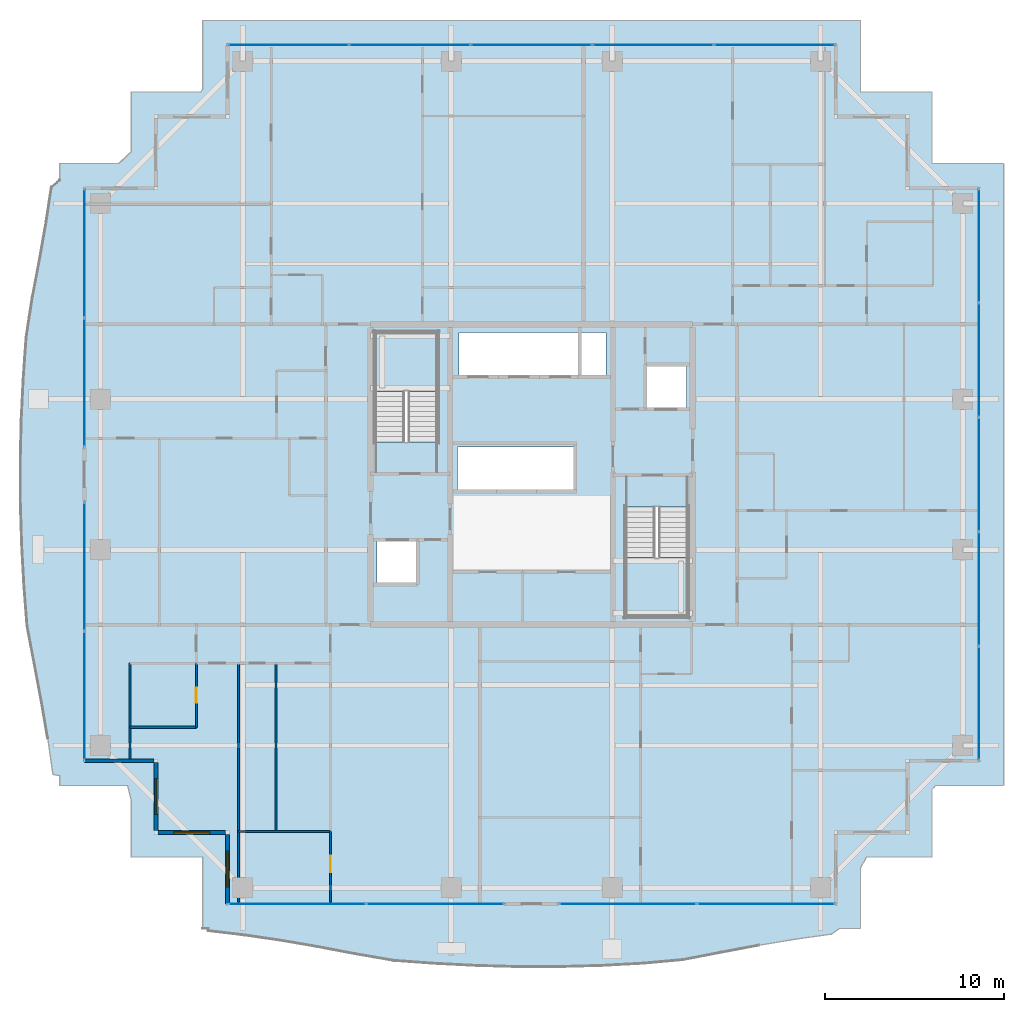
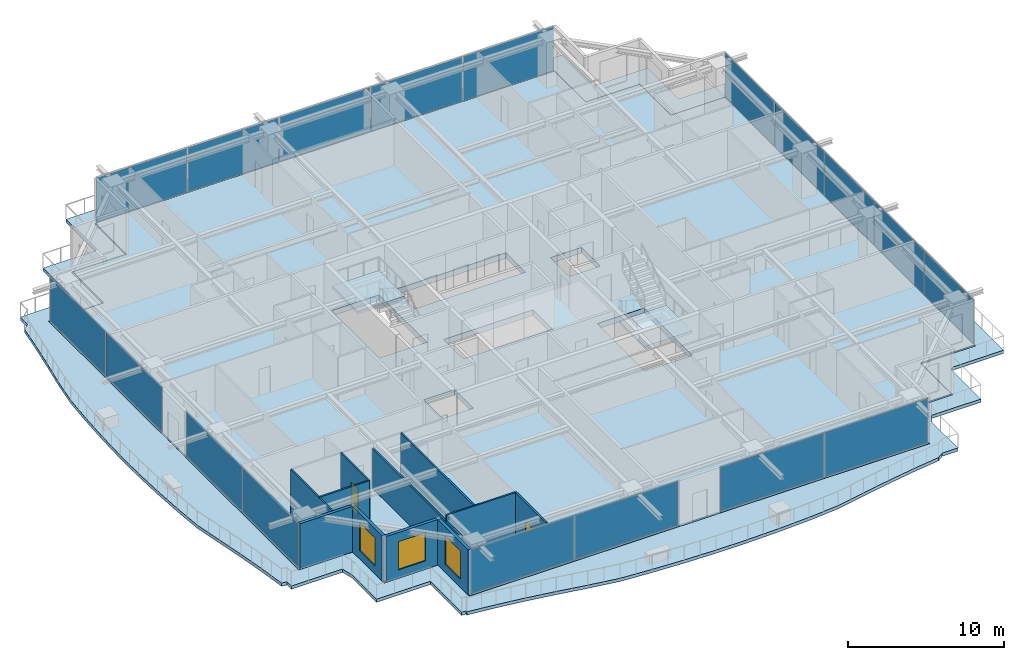
# One storey, part 23 of 35: 18 plates, 11 walls, 4 slabs, 3 windows, 2 doors, 5 openings, 8 elements without a shape of their own.
"""IFC4 building model written with IfcOpenShell, lengths in metres."""

from ifc_helpers import new_model, si_unit, direction, frame, frame_2d, origin, origin_2d, place, context, subcontext, project, spatial, polyline, rectangle, outline, extrude, source, transform, mapped, material, layer, layer_set, type_object, element, fill, aggregate, save


model = new_model("IFC4")

# Units and contexts
model_context = context("Model", 3, precision=1e-05, world=origin(), true_north=direction((0.0, 1.0)))
body_context = subcontext(model_context, "Body", "Model", "MODEL_VIEW")
ifc_project = project(units=[si_unit("LENGTHUNIT", "METRE"), si_unit("AREAUNIT", "SQUARE_METRE"), si_unit("VOLUMEUNIT", "CUBIC_METRE"), si_unit("PLANEANGLEUNIT", "RADIAN"), si_unit("MASSUNIT", "GRAM", prefix="KILO")], contexts=[model_context])

# Site, building, storey
site_placement = place(None, origin())
site = spatial("IfcSite", under=ifc_project, at=site_placement, CompositionType="ELEMENT")
building_placement = place(site_placement, origin())
building = spatial("IfcBuilding", under=site, at=building_placement, Name="Serunith Strait Residences", CompositionType="ELEMENT")
storey_placement = place(building_placement, frame((0.0, 0.0, 210.449951171875)))
storey = spatial("IfcBuildingStorey", under=building, at=storey_placement, Name="L52", CompositionType="ELEMENT", Elevation=210.449951171875)

# Slab
ifc_material_1 = material(Name="Concrete C50/60", Category="concrete")
ifc_layer_1 = layer(ifc_material_1, 0.239990234375, Name="Concrete C50/60")
ifc_layer_set_1 = layer_set([ifc_layer_1], Name="Concrete C50/60")
slab_type_1 = type_object("IfcSlabType", Name="SLB-BALC-240", PredefinedType="FLOOR", material=ifc_layer_set_1)
slab_1_placement = place(storey_placement, frame((0.0, 0.0, -0.2900390625)))
element("IfcSlab", 1, at=slab_1_placement, inside=storey, type_object=slab_type_1, Name="L52 Planted Vertical-Forest Balcony Slab", PredefinedType="FLOOR", context=body_context, shape_type="SweptSolid", body=[
    extrude(outline(polyline([(14.02001953125, -0.179931640625), (14.02001953125, 3.820068359375), (10.02001953125, 3.820068359375), (10.02001953125, 6.98828125), (9.8154296875, 7.820068359375), (6.02001953125, 7.820068359375), (6.02001953125, 8.3701171875), (5.64404296875, 8.432861328125), (5.3525390625, 10.458984375), (5.005615234375, 12.507080078125), (4.614013671875, 14.594970703125), (4.2041015625, 16.7412109375), (4.030029296875, 19.005859375), (3.904541015625, 21.3056640625), (3.83447265625, 23.62890625), (3.826904296875, 25.9619140625), (3.88232421875, 28.289306640625), (3.9951171875, 30.596923828125), (4.154296875, 32.873291015625), (4.49072265625, 35.061279296875), (4.89111328125, 37.16650390625), (5.253173828125, 39.225830078125), (5.561767578125, 41.25830078125), (6.02001953125, 41.644287109375), (6.02001953125, 42.580078125), (9.319580078125, 42.580078125), (10.02001953125, 43.233154296875), (10.02001953125, 46.580078125), (13.9189453125, 46.580078125), (14.02001953125, 46.734619140625), (14.02001953125, 50.580078125), (50.780029296875, 50.580078125), (50.780029296875, 46.580078125), (54.780029296875, 46.580078125), (54.780029296875, 42.580078125), (58.780029296875, 42.580078125), (58.780029296875, 7.820068359375), (54.97509765625, 7.820068359375), (54.780029296875, 7.597900390625), (54.780029296875, 3.820068359375), (51.12060546875, 3.820068359375), (50.780029296875, 3.201416015625), (50.780029296875, -0.179931640625), (49.6103515625, -0.179931640625), (49.1689453125, -0.488525390625), (47.14501953125, -0.77294921875), (45.101318359375, -1.1162109375), (43.018310546875, -1.508056640625), (40.8759765625, -1.9228515625), (38.615234375, -2.12841796875), (36.307861328125, -2.25), (33.976318359375, -2.314208984375), (31.6357421875, -2.314697265625), (29.302001953125, -2.252197265625), (26.990234375, -2.133544921875), (24.711181640625, -1.97021484375), (22.537109375, -1.596923828125), (20.438232421875, -1.1982421875), (18.38330078125, -0.84375), (16.353271484375, -0.54638671875), (14.33251953125, -0.306884765625), (14.33349609375, -0.179931640625), (14.02001953125, -0.179931640625)]), holes=[polyline([(49.455078125, 1.14501953125), (49.455078125, 5.14501953125), (53.455078125, 5.14501953125), (53.455078125, 9.14501953125), (57.455078125, 9.14501953125), (57.455078125, 41.2548828125), (53.455078125, 41.2548828125), (53.455078125, 45.2548828125), (49.455078125, 45.2548828125), (49.455078125, 49.2548828125), (15.344970703125, 49.2548828125), (15.344970703125, 45.2548828125), (11.344970703125, 45.2548828125), (11.344970703125, 41.2548828125), (7.344970703125, 41.2548828125), (7.344970703125, 9.14501953125), (11.344970703125, 9.14501953125), (11.344970703125, 5.14501953125), (15.344970703125, 5.14501953125), (15.344970703125, 1.14501953125), (49.455078125, 1.14501953125)])]), origin(), (0.0, 0.0, 1.0), 0.239990234375),
])

# Stair, slab
stair_type_1 = type_object("IfcStairType", Name="STR-CORE-1", PredefinedType="HALF_TURN_STAIR", material=ifc_material_1)
stair_1_placement = place(storey_placement, origin())
stair_1 = element("IfcStair", 2, at=stair_1_placement, inside=storey, type_object=stair_type_1, Name="L52 Protected Escape Stair ST-1", PredefinedType="HALF_TURN_STAIR")
ifc_layer_2 = layer(ifc_material_1, 0.199951171875, Name="Concrete C50/60")
ifc_layer_set_2 = layer_set([ifc_layer_2], Name="Concrete C50/60")
slab_type_2 = type_object("IfcSlabType", Name="SLB-LAND-200", PredefinedType="LANDING", material=ifc_layer_set_2)
slab_2_placement = place(storey_placement, frame((0.0, 0.0, 1.72509765625)))
slab_2 = element("IfcSlab", 3, at=slab_2_placement, type_object=slab_type_2, Name="ST-1 landing 1", PredefinedType="LANDING", context=body_context, shape_type="SweptSolid", body=[
    extrude(outline(polyline([(27.14990234375, 29.830078125), (27.14990234375, 33.14990234375), (23.64990234375, 33.14990234375), (23.64990234375, 29.830078125), (27.14990234375, 29.830078125)])), origin(), (0.0, 0.0, 1.0), 0.199951171875),
])
aggregate(stair_1, [slab_2])

stair_type_2 = type_object("IfcStairType", Name="STR-CORE-2", PredefinedType="HALF_TURN_STAIR", material=ifc_material_1)
stair_2_placement = place(storey_placement, origin())
stair_2 = element("IfcStair", 4, at=stair_2_placement, inside=storey, type_object=stair_type_2, Name="L52 Protected Escape Stair ST-2", PredefinedType="HALF_TURN_STAIR")
slab_3_placement = place(storey_placement, frame((0.0, 0.0, 1.72509765625)))
slab_3 = element("IfcSlab", 5, at=slab_3_placement, type_object=slab_type_2, Name="ST-2 landing 1", PredefinedType="LANDING", context=body_context, shape_type="SweptSolid", body=[
    extrude(outline(polyline([(37.64990234375, 20.570068359375), (37.64990234375, 17.25), (41.14990234375, 17.25), (41.14990234375, 20.570068359375), (37.64990234375, 20.570068359375)])), origin(), (0.0, 0.0, 1.0), 0.199951171875),
])
aggregate(stair_2, [slab_3])

# Slab
ifc_material_2 = material(Name="Concrete C70/85", Category="concrete")
ifc_layer_3 = layer(ifc_material_2, 0.43994140625, Name="Concrete C70/85")
ifc_layer_set_3 = layer_set([ifc_layer_3], Name="Concrete C70/85")
slab_type_3 = type_object("IfcSlabType", Name="SLB-SETB-440", PredefinedType="FLOOR", material=ifc_layer_set_3)
slab_4_placement = place(storey_placement, frame((0.0, 0.0, -0.43994140625)))
element("IfcSlab", 6, at=slab_4_placement, inside=storey, type_object=slab_type_3, Name="L52 Structural Floor Plate", PredefinedType="FLOOR", context=body_context, shape_type="SweptSolid", body=[
    extrude(outline(polyline([(15.39990234375, 5.199951171875), (11.39990234375, 5.199951171875), (11.39990234375, 9.199951171875), (7.39990234375, 9.199951171875), (7.39990234375, 41.199951171875), (11.39990234375, 41.199951171875), (11.39990234375, 45.199951171875), (15.39990234375, 45.199951171875), (15.39990234375, 49.199951171875), (49.39990234375, 49.199951171875), (49.39990234375, 45.199951171875), (53.39990234375, 45.199951171875), (53.39990234375, 41.199951171875), (57.39990234375, 41.199951171875), (57.39990234375, 9.199951171875), (53.39990234375, 9.199951171875), (53.39990234375, 5.199951171875), (49.39990234375, 5.199951171875), (49.39990234375, 1.199951171875), (15.39990234375, 1.199951171875), (15.39990234375, 5.199951171875)]), holes=[polyline([(41.14990234375, 23.3701171875), (37.64990234375, 23.3701171875), (37.64990234375, 17.25), (41.14990234375, 17.25), (41.14990234375, 23.3701171875)]), polyline([(38.75, 31.25), (38.75, 28.85009765625), (41.050048828125, 28.85009765625), (41.050048828125, 31.25), (38.75, 31.25)]), polyline([(36.550048828125, 33.14990234375), (28.35009765625, 33.14990234375), (28.35009765625, 30.64990234375), (36.550048828125, 30.64990234375), (36.550048828125, 33.14990234375)]), polyline([(34.85009765625, 26.75), (28.25, 26.75), (28.25, 24.25), (34.85009765625, 24.25), (34.85009765625, 26.75)]), polyline([(23.64990234375, 33.14990234375), (23.64990234375, 27.030029296875), (27.14990234375, 27.030029296875), (27.14990234375, 33.14990234375), (23.64990234375, 33.14990234375)]), polyline([(26.050048828125, 21.550048828125), (23.75, 21.550048828125), (23.75, 19.14990234375), (26.050048828125, 19.14990234375), (26.050048828125, 21.550048828125)])]), origin(), (0.0, 0.0, 1.0), 0.43994140625),
])

# Curtain wall, plates
ifc_material_3 = material(Name="Pale-Champagne Anodised Aluminium", Category="aluminium")
ifc_layer_4 = layer(ifc_material_3, 0.199951171875, Name="Pale-Champagne Anodised Aluminium")
ifc_layer_set_4 = layer_set([ifc_layer_4], Name="Pale-Champagne Anodised Aluminium")
curtain_wall_type = type_object("IfcCurtainWallType", Name="CW-SYS4", PredefinedType="NOTDEFINED", material=ifc_layer_set_4)
curtain_wall_1_placement = place(storey_placement, origin())
curtain_wall_1 = element("IfcCurtainWall", 7, at=curtain_wall_1_placement, inside=storey, type_object=curtain_wall_type, Name="L52 S Unitised Fritted Curtain Wall", PredefinedType="NOTDEFINED")
ifc_material_4 = material(Name="Ceramic-Printed Solar-Control Glazing 28mm", Category="glass")
ifc_layer_5 = layer(ifc_material_4, 0.028076171875, Name="Ceramic-Printed Solar-Control Glazing 28mm")
ifc_layer_set_5 = layer_set([ifc_layer_5], Name="Ceramic-Printed Solar-Control Glazing 28mm")
plate_type = type_object("IfcPlateType", Name="CW-SYS4-PNL", PredefinedType="CURTAIN_PANEL", material=ifc_layer_set_5)
shared_shape_1 = source(origin(), body_context, "Body", "SweptSolid", [
    extrude(rectangle(XDim=7.652587890625, YDim=0.028076171875, at=origin_2d()), origin(), (0.0, 0.0, 1.0), 3.455078125),
])
plate_1_placement = place(storey_placement, frame((19.291259765625, 1.199951171875, 0.06005859375), z_axis=(0.0, 0.0, 1.0), x_axis=(1.0, 0.0, 0.0)))
plate_1 = element("IfcPlate", 8, at=plate_1_placement, type_object=plate_type, Name="CW-4 panel 1.1", PredefinedType="CURTAIN_PANEL", context=body_context, shape_type="MappedRepresentation", body=[
    mapped(shared_shape_1, transform((0.0, 0.0, 0.0), scale=1.0)),
])
plate_2_placement = place(storey_placement, frame((27.0087890625, 1.199951171875, 0.06005859375), z_axis=(0.0, 0.0, 1.0), x_axis=(1.0, 0.0, 0.0)))
plate_2 = element("IfcPlate", 9, at=plate_2_placement, type_object=plate_type, Name="CW-4 panel 2.1", PredefinedType="CURTAIN_PANEL", context=body_context, shape_type="MappedRepresentation", body=[
    mapped(shared_shape_1, transform((0.0, 0.0, 0.0), scale=1.0)),
])
aggregate(curtain_wall_1, [plate_1, plate_2])

curtain_wall_2_placement = place(storey_placement, origin())
curtain_wall_2 = element("IfcCurtainWall", 10, at=curtain_wall_2_placement, inside=storey, type_object=curtain_wall_type, Name="L52 S Unitised Fritted Curtain Wall", PredefinedType="NOTDEFINED")
plate_3_placement = place(storey_placement, frame((37.791259765625, 1.199951171875, 0.06005859375), z_axis=(0.0, 0.0, 1.0), x_axis=(1.0, 0.0, 0.0)))
plate_3 = element("IfcPlate", 11, at=plate_3_placement, type_object=plate_type, Name="CW-4 panel 1.1", PredefinedType="CURTAIN_PANEL", context=body_context, shape_type="MappedRepresentation", body=[
    mapped(shared_shape_1, transform((0.0, 0.0, 0.0), scale=1.0)),
])
plate_4_placement = place(storey_placement, frame((45.5087890625, 1.199951171875, 0.06005859375), z_axis=(0.0, 0.0, 1.0), x_axis=(1.0, 0.0, 0.0)))
plate_4 = element("IfcPlate", 12, at=plate_4_placement, type_object=plate_type, Name="CW-4 panel 2.1", PredefinedType="CURTAIN_PANEL", context=body_context, shape_type="MappedRepresentation", body=[
    mapped(shared_shape_1, transform((0.0, 0.0, 0.0), scale=1.0)),
])
aggregate(curtain_wall_2, [plate_3, plate_4])

curtain_wall_3_placement = place(storey_placement, origin())
curtain_wall_3 = element("IfcCurtainWall", 13, at=curtain_wall_3_placement, inside=storey, type_object=curtain_wall_type, Name="L52 E Unitised Fritted Curtain Wall", PredefinedType="NOTDEFINED")
shared_shape_2 = source(origin(), body_context, "Body", "SweptSolid", [
    extrude(rectangle(XDim=6.302490234375, YDim=0.028076171875, at=origin_2d()), origin(), (0.0, 0.0, 1.0), 3.455078125),
])
plate_5_placement = place(storey_placement, frame((57.39990234375, 12.416259765625, 0.06005859375), z_axis=(0.0, 0.0, 1.0), x_axis=(0.0, 1.0, 0.0)))
plate_5 = element("IfcPlate", 14, at=plate_5_placement, type_object=plate_type, Name="CW-4 panel 1.1", PredefinedType="CURTAIN_PANEL", context=body_context, shape_type="MappedRepresentation", body=[
    mapped(shared_shape_2, transform((0.0, 0.0, 0.0), scale=1.0)),
])
plate_6_placement = place(storey_placement, frame((57.39990234375, 37.983642578125, 0.06005859375), z_axis=(0.0, 0.0, 1.0), x_axis=(0.0, 1.0, 0.0)))
plate_6 = element("IfcPlate", 15, at=plate_6_placement, type_object=plate_type, Name="CW-4 panel 5.1", PredefinedType="CURTAIN_PANEL", context=body_context, shape_type="MappedRepresentation", body=[
    mapped(shared_shape_2, transform((0.0, 0.0, 0.0), scale=1.0)),
])
shared_shape_3 = source(origin(), body_context, "Body", "SweptSolid", [
    extrude(rectangle(XDim=6.3349609375, YDim=0.028076171875, at=origin_2d()), origin(), (0.0, 0.0, 1.0), 3.455078125),
])
plate_7_placement = place(storey_placement, frame((57.39990234375, 18.800048828125, 0.06005859375), z_axis=(0.0, 0.0, 1.0), x_axis=(0.0, 1.0, 0.0)))
plate_7 = element("IfcPlate", 16, at=plate_7_placement, type_object=plate_type, Name="CW-4 panel 2.1", PredefinedType="CURTAIN_PANEL", context=body_context, shape_type="MappedRepresentation", body=[
    mapped(shared_shape_3, transform((0.0, 0.0, 0.0), scale=1.0)),
])
plate_8_placement = place(storey_placement, frame((57.39990234375, 25.199951171875, 0.06005859375), z_axis=(0.0, 0.0, 1.0), x_axis=(0.0, 1.0, 0.0)))
plate_8 = element("IfcPlate", 17, at=plate_8_placement, type_object=plate_type, Name="CW-4 panel 3.1", PredefinedType="CURTAIN_PANEL", context=body_context, shape_type="MappedRepresentation", body=[
    mapped(shared_shape_3, transform((0.0, 0.0, 0.0), scale=1.0)),
])
plate_9_placement = place(storey_placement, frame((57.39990234375, 31.60009765625, 0.06005859375), z_axis=(0.0, 0.0, 1.0), x_axis=(0.0, 1.0, 0.0)))
plate_9 = element("IfcPlate", 18, at=plate_9_placement, type_object=plate_type, Name="CW-4 panel 4.1", PredefinedType="CURTAIN_PANEL", context=body_context, shape_type="MappedRepresentation", body=[
    mapped(shared_shape_3, transform((0.0, 0.0, 0.0), scale=1.0)),
])
aggregate(curtain_wall_3, [plate_5, plate_7, plate_8, plate_9, plate_6])

curtain_wall_4_placement = place(storey_placement, origin())
curtain_wall_4 = element("IfcCurtainWall", 19, at=curtain_wall_4_placement, inside=storey, type_object=curtain_wall_type, Name="L52 N Unitised Fritted Curtain Wall", PredefinedType="NOTDEFINED")
shared_shape_4 = source(origin(), body_context, "Body", "SweptSolid", [
    extrude(rectangle(XDim=6.702392578125, YDim=0.028076171875, at=origin_2d()), origin(), (0.0, 0.0, 1.0), 3.455078125),
])
plate_10_placement = place(storey_placement, frame((45.983642578125, 49.199951171875, 0.06005859375), z_axis=(0.0, 0.0, 1.0), x_axis=(-1.0, 0.0, 0.0)))
plate_10 = element("IfcPlate", 20, at=plate_10_placement, type_object=plate_type, Name="CW-4 panel 1.1", PredefinedType="CURTAIN_PANEL", context=body_context, shape_type="MappedRepresentation", body=[
    mapped(shared_shape_4, transform((0.0, 0.0, 0.0), scale=1.0)),
])
plate_11_placement = place(storey_placement, frame((18.816162109375, 49.199951171875, 0.06005859375), z_axis=(0.0, 0.0, 1.0), x_axis=(-1.0, 0.0, 0.0)))
plate_11 = element("IfcPlate", 21, at=plate_11_placement, type_object=plate_type, Name="CW-4 panel 5.1", PredefinedType="CURTAIN_PANEL", context=body_context, shape_type="MappedRepresentation", body=[
    mapped(shared_shape_4, transform((0.0, 0.0, 0.0), scale=1.0)),
])
shared_shape_5 = source(origin(), body_context, "Body", "SweptSolid", [
    extrude(rectangle(XDim=6.735107421875, YDim=0.028076171875, at=origin_2d()), origin(), (0.0, 0.0, 1.0), 3.455078125),
])
plate_12_placement = place(storey_placement, frame((39.199951171875, 49.199951171875, 0.06005859375), z_axis=(0.0, 0.0, 1.0), x_axis=(-1.0, 0.0, 0.0)))
plate_12 = element("IfcPlate", 22, at=plate_12_placement, type_object=plate_type, Name="CW-4 panel 2.1", PredefinedType="CURTAIN_PANEL", context=body_context, shape_type="MappedRepresentation", body=[
    mapped(shared_shape_5, transform((0.0, 0.0, 0.0), scale=1.0)),
])
plate_13_placement = place(storey_placement, frame((32.39990234375, 49.199951171875, 0.06005859375), z_axis=(0.0, 0.0, 1.0), x_axis=(-1.0, 0.0, 0.0)))
plate_13 = element("IfcPlate", 23, at=plate_13_placement, type_object=plate_type, Name="CW-4 panel 3.1", PredefinedType="CURTAIN_PANEL", context=body_context, shape_type="MappedRepresentation", body=[
    mapped(shared_shape_5, transform((0.0, 0.0, 0.0), scale=1.0)),
])
plate_14_placement = place(storey_placement, frame((25.60009765625, 49.199951171875, 0.06005859375), z_axis=(0.0, 0.0, 1.0), x_axis=(-1.0, 0.0, 0.0)))
plate_14 = element("IfcPlate", 24, at=plate_14_placement, type_object=plate_type, Name="CW-4 panel 4.1", PredefinedType="CURTAIN_PANEL", context=body_context, shape_type="MappedRepresentation", body=[
    mapped(shared_shape_5, transform((0.0, 0.0, 0.0), scale=1.0)),
])
aggregate(curtain_wall_4, [plate_10, plate_12, plate_13, plate_14, plate_11])

curtain_wall_5_placement = place(storey_placement, origin())
curtain_wall_5 = element("IfcCurtainWall", 25, at=curtain_wall_5_placement, inside=storey, type_object=curtain_wall_type, Name="L52 W Unitised Fritted Curtain Wall", PredefinedType="NOTDEFINED")
shared_shape_6 = source(origin(), body_context, "Body", "SweptSolid", [
    extrude(rectangle(XDim=7.152587890625, YDim=0.028076171875, at=origin_2d()), origin(), (0.0, 0.0, 1.0), 3.455078125),
])
plate_15_placement = place(storey_placement, frame((7.39990234375, 37.558837890625, 0.06005859375), z_axis=(0.0, 0.0, 1.0), x_axis=(0.0, -1.0, 0.0)))
plate_15 = element("IfcPlate", 26, at=plate_15_placement, type_object=plate_type, Name="CW-4 panel 1.1", PredefinedType="CURTAIN_PANEL", context=body_context, shape_type="MappedRepresentation", body=[
    mapped(shared_shape_6, transform((0.0, 0.0, 0.0), scale=1.0)),
])
plate_16_placement = place(storey_placement, frame((7.39990234375, 30.34130859375, 0.06005859375), z_axis=(0.0, 0.0, 1.0), x_axis=(0.0, -1.0, 0.0)))
plate_16 = element("IfcPlate", 27, at=plate_16_placement, type_object=plate_type, Name="CW-4 panel 2.1", PredefinedType="CURTAIN_PANEL", context=body_context, shape_type="MappedRepresentation", body=[
    mapped(shared_shape_6, transform((0.0, 0.0, 0.0), scale=1.0)),
])
aggregate(curtain_wall_5, [plate_15, plate_16])

curtain_wall_6_placement = place(storey_placement, origin())
curtain_wall_6 = element("IfcCurtainWall", 28, at=curtain_wall_6_placement, inside=storey, type_object=curtain_wall_type, Name="L52 W Unitised Fritted Curtain Wall", PredefinedType="NOTDEFINED")
plate_17_placement = place(storey_placement, frame((7.39990234375, 20.058837890625, 0.06005859375), z_axis=(0.0, 0.0, 1.0), x_axis=(0.0, -1.0, 0.0)))
plate_17 = element("IfcPlate", 29, at=plate_17_placement, type_object=plate_type, Name="CW-4 panel 1.1", PredefinedType="CURTAIN_PANEL", context=body_context, shape_type="MappedRepresentation", body=[
    mapped(shared_shape_6, transform((0.0, 0.0, 0.0), scale=1.0)),
])
plate_18_placement = place(storey_placement, frame((7.39990234375, 12.84130859375, 0.06005859375), z_axis=(0.0, 0.0, 1.0), x_axis=(0.0, -1.0, 0.0)))
plate_18 = element("IfcPlate", 30, at=plate_18_placement, type_object=plate_type, Name="CW-4 panel 2.1", PredefinedType="CURTAIN_PANEL", context=body_context, shape_type="MappedRepresentation", body=[
    mapped(shared_shape_6, transform((0.0, 0.0, 0.0), scale=1.0)),
])
aggregate(curtain_wall_6, [plate_17, plate_18])

# Wall
ifc_material_5 = material(Name="Pale-Champagne Aluminium Insulated Panel", Category="aluminium")
ifc_layer_6 = layer(ifc_material_5, 0.219970703125, Name="Pale-Champagne Aluminium Insulated Panel")
ifc_layer_set_6 = layer_set([ifc_layer_6], Name="Pale-Champagne Aluminium Insulated Panel")
wall_type_1 = type_object("IfcWallType", Name="EW-ALUM-220", PredefinedType="ELEMENTEDWALL", material=ifc_layer_set_6)
wall_1_placement = place(storey_placement, frame((7.39990234375, 9.199951171875, 0.0), z_axis=(0.0, 0.0, 1.0), x_axis=(1.0, 0.0, 0.0)))
element("IfcWall", 31, at=wall_1_placement, inside=storey, type_object=wall_type_1, Name="L52 Girih Serrated Corner Wall 17", PredefinedType="ELEMENTEDWALL", context=body_context, shape_type="SweptSolid", body=[
    extrude(rectangle(XDim=3.89013671875, YDim=0.219970703125, at=frame_2d((1.945068359375, 0.0))), origin(), (0.0, 0.0, 1.0), 3.574951171875),
])

# Wall, opening, window
wall_2_placement = place(storey_placement, frame((11.39990234375, 9.090087890625, 0.0), z_axis=(0.0, 0.0, 1.0), x_axis=(0.0, -1.0, 0.0)))
wall_2 = element("IfcWall", 32, at=wall_2_placement, inside=storey, type_object=wall_type_1, Name="L52 Girih Serrated Corner Wall 18", PredefinedType="ELEMENTEDWALL", context=body_context, shape_type="SweptSolid", body=[
    extrude(rectangle(XDim=3.780029296875, YDim=0.219970703125, at=frame_2d((1.89013671875, 0.0))), origin(), (0.0, 0.0, 1.0), 3.574951171875),
])
opening_1_placement = place(wall_2_placement, frame((0.889892578125, 0.0, 0.64990234375)))
opening_1 = element("IfcOpeningElement", 33, at=opening_1_placement, cuts=wall_2, Name="Opening W-04", PredefinedType="OPENING", context=body_context, shape_type="SweptSolid", body=[
    extrude(rectangle(XDim=2.0, YDim=2.199951171875, at=frame_2d((1.0, 1.10009765625))), frame((0.0, 0.1201171875, 0.0), z_axis=(0.0, -1.0, 0.0), x_axis=(1.0, 0.0, 0.0)), (0.0, 0.0, 1.0), 0.239990234375),
])
ifc_material_6 = material(Name="Ceramic-Fritted Operable Aluminium Window Glass", Category="aluminium")
window_type = type_object("IfcWindowType", Name="WIN-C4", PartitioningType="TRIPLE_PANEL_VERTICAL", PredefinedType="WINDOW", material=ifc_material_6)
shared_shape_7 = source(origin(), body_context, "Body", "SweptSolid", [
    extrude(rectangle(XDim=2.0, YDim=2.199951171875, at=frame_2d((1.0, 1.10009765625))), frame((0.0, 0.030029296875, 0.0), z_axis=(0.0, -1.0, 0.0), x_axis=(1.0, 0.0, 0.0)), (0.0, 0.0, 1.0), 0.06005859375),
])
window_1_placement = place(opening_1_placement, origin())
window_1 = element("IfcWindow", 34, at=window_1_placement, inside=storey, type_object=window_type, Name="L52 Corner Operable Fritted Window 18", OverallHeight=2.199951171875, OverallWidth=2.0, PartitioningType="SINGLE_PANEL", PredefinedType="WINDOW", context=body_context, shape_type="MappedRepresentation", body=[
    mapped(shared_shape_7, transform((0.0, 0.0, 0.0), scale=1.0)),
])
fill(opening_1, window_1)

wall_3_placement = place(storey_placement, frame((11.510009765625, 5.199951171875, 0.0), z_axis=(0.0, 0.0, 1.0), x_axis=(1.0, 0.0, 0.0)))
wall_3 = element("IfcWall", 35, at=wall_3_placement, inside=storey, type_object=wall_type_1, Name="L52 Girih Serrated Corner Wall 19", PredefinedType="ELEMENTEDWALL", context=body_context, shape_type="SweptSolid", body=[
    extrude(rectangle(XDim=3.780029296875, YDim=0.219970703125, at=frame_2d((1.89013671875, 0.0))), origin(), (0.0, 0.0, 1.0), 3.574951171875),
])
opening_2_placement = place(wall_3_placement, frame((0.889892578125, 0.0, 0.64990234375)))
opening_2 = element("IfcOpeningElement", 36, at=opening_2_placement, cuts=wall_3, Name="Opening W-04", PredefinedType="OPENING", context=body_context, shape_type="SweptSolid", body=[
    extrude(rectangle(XDim=2.0, YDim=2.199951171875, at=frame_2d((1.0, 1.10009765625))), frame((0.0, 0.1201171875, 0.0), z_axis=(0.0, -1.0, 0.0), x_axis=(1.0, 0.0, 0.0)), (0.0, 0.0, 1.0), 0.239990234375),
])
window_2_placement = place(opening_2_placement, origin())
window_2 = element("IfcWindow", 37, at=window_2_placement, inside=storey, type_object=window_type, Name="L52 Corner Operable Fritted Window 19", OverallHeight=2.199951171875, OverallWidth=2.0, PartitioningType="SINGLE_PANEL", PredefinedType="WINDOW", context=body_context, shape_type="MappedRepresentation", body=[
    mapped(shared_shape_7, transform((0.0, 0.0, 0.0), scale=1.0)),
])
fill(opening_2, window_2)

wall_4_placement = place(storey_placement, frame((15.39990234375, 5.090087890625, 0.0), z_axis=(0.0, 0.0, 1.0), x_axis=(0.0, -1.0, 0.0)))
wall_4 = element("IfcWall", 38, at=wall_4_placement, inside=storey, type_object=wall_type_1, Name="L52 Girih Serrated Corner Wall 20", PredefinedType="ELEMENTEDWALL", context=body_context, shape_type="SweptSolid", body=[
    extrude(rectangle(XDim=3.89013671875, YDim=0.219970703125, at=frame_2d((1.945068359375, 0.0))), origin(), (0.0, 0.0, 1.0), 3.574951171875),
])
opening_3_placement = place(wall_4_placement, frame((0.945068359375, 0.0, 0.64990234375)))
opening_3 = element("IfcOpeningElement", 39, at=opening_3_placement, cuts=wall_4, Name="Opening W-04", PredefinedType="OPENING", context=body_context, shape_type="SweptSolid", body=[
    extrude(rectangle(XDim=2.0, YDim=2.199951171875, at=frame_2d((1.0, 1.10009765625))), frame((0.0, 0.1201171875, 0.0), z_axis=(0.0, -1.0, 0.0), x_axis=(1.0, 0.0, 0.0)), (0.0, 0.0, 1.0), 0.239990234375),
])
window_3_placement = place(opening_3_placement, origin())
window_3 = element("IfcWindow", 40, at=window_3_placement, inside=storey, type_object=window_type, Name="L52 Corner Operable Fritted Window 20", OverallHeight=2.199951171875, OverallWidth=2.0, PartitioningType="SINGLE_PANEL", PredefinedType="WINDOW", context=body_context, shape_type="MappedRepresentation", body=[
    mapped(shared_shape_7, transform((0.0, 0.0, 0.0), scale=1.0)),
])
fill(opening_3, window_3)

# Wall, opening, door
ifc_material_7 = material(Name="Lightweight steel-stud gypsum partition", Category="steel")
ifc_layer_7 = layer(ifc_material_7, 0.1201171875, Name="Lightweight steel-stud gypsum partition")
ifc_layer_set_7 = layer_set([ifc_layer_7], Name="Lightweight steel-stud gypsum partition")
wall_type_2 = type_object("IfcWallType", Name="IW-PART-120", PredefinedType="PARTITIONING", material=ifc_layer_set_7)
wall_5_placement = place(storey_placement, frame((21.159912109375, 1.294921875, 0.0), z_axis=(0.0, 0.0, 1.0), x_axis=(0.0, 1.0, 0.0)))
wall_5 = element("IfcWall", 41, at=wall_5_placement, inside=storey, type_object=wall_type_2, Name="L52 Partition Wall 029", PredefinedType="PARTITIONING", context=body_context, shape_type="SweptSolid", body=[
    extrude(rectangle(XDim=3.9560546875, YDim=0.1201171875, at=frame_2d((1.97802734375, 0.0))), origin(), (0.0, 0.0, 1.0), 3.590087890625),
])
opening_4_placement = place(wall_5_placement, frame((1.680908203125, 0.0, 0.0)))
opening_4 = element("IfcOpeningElement", 42, at=opening_4_placement, cuts=wall_5, Name="Opening D-RM900", PredefinedType="OPENING", context=body_context, shape_type="SweptSolid", body=[
    extrude(rectangle(XDim=0.89990234375, YDim=2.10009765625, at=frame_2d((0.449951171875, 1.050048828125))), frame((0.0, 0.070068359375, 0.0), z_axis=(0.0, -1.0, 0.0), x_axis=(1.0, 0.0, 0.0)), (0.0, 0.0, 1.0), 0.14013671875),
])
ifc_material_8 = material(Name="Engineered timber flush bedroom door", Category="wood")
door_type_1 = type_object("IfcDoorType", Name="ID-ROOM-900", OperationType="NOTDEFINED", PredefinedType="DOOR", material=ifc_material_8)
shared_shape_8 = source(origin(), body_context, "Body", "SweptSolid", [
    extrude(rectangle(XDim=0.89990234375, YDim=2.10009765625, at=frame_2d((0.449951171875, 1.050048828125))), frame((0.0, 0.02490234375, 0.0), z_axis=(0.0, -1.0, 0.0), x_axis=(1.0, 0.0, 0.0)), (0.0, 0.0, 1.0), 0.050048828125),
])
door_1_placement = place(opening_4_placement, origin())
door_1 = element("IfcDoor", 43, at=door_1_placement, inside=storey, type_object=door_type_1, Name="L52 Study 1 5201 Door", OperationType="SINGLE_SWING_RIGHT", OverallHeight=2.10009765625, OverallWidth=0.89990234375, PredefinedType="DOOR", context=body_context, shape_type="MappedRepresentation", body=[
    mapped(shared_shape_8, transform((0.0, 0.0, 0.0), scale=1.0)),
])
fill(opening_4, door_1)

# Walls
wall_6_placement = place(storey_placement, frame((16.010009765625, 5.2509765625, 0.0), z_axis=(0.0, 0.0, 1.0), x_axis=(1.0, 0.0, 0.0)))
element("IfcWall", 44, at=wall_6_placement, inside=storey, type_object=wall_type_2, Name="L52 Partition Wall 031", PredefinedType="PARTITIONING", context=body_context, shape_type="SweptSolid", body=[
    extrude(rectangle(XDim=5.14990234375, YDim=0.1201171875, at=frame_2d((2.574951171875, 0.0))), origin(), (0.0, 0.0, 1.0), 3.590087890625),
])
wall_7_placement = place(storey_placement, frame((16.010009765625, 1.294921875, 0.0), z_axis=(0.0, 0.0, 1.0), x_axis=(0.0, 1.0, 0.0)))
element("IfcWall", 45, at=wall_7_placement, inside=storey, type_object=wall_type_2, Name="L52 Partition Wall 032", PredefinedType="PARTITIONING", context=body_context, shape_type="SweptSolid", body=[
    extrude(rectangle(XDim=13.35498046875, YDim=0.1201171875, at=frame_2d((6.677490234375, 0.0))), origin(), (0.0, 0.0, 1.0), 3.1220703125),
])
wall_8_placement = place(storey_placement, frame((18.110107421875, 5.2509765625, 0.0), z_axis=(0.0, 0.0, 1.0), x_axis=(0.0, 1.0, 0.0)))
element("IfcWall", 46, at=wall_8_placement, inside=storey, type_object=wall_type_2, Name="L52 Partition Wall 033", PredefinedType="PARTITIONING", context=body_context, shape_type="SweptSolid", body=[
    extrude(rectangle(XDim=9.39892578125, YDim=0.1201171875, at=frame_2d((4.699462890625, 0.0))), origin(), (0.0, 0.0, 1.0), 3.590087890625),
])
wall_9_placement = place(storey_placement, frame((9.9599609375, 11.071044921875, 0.0), z_axis=(0.0, 0.0, 1.0), x_axis=(1.0, 0.0, 0.0)))
element("IfcWall", 47, at=wall_9_placement, inside=storey, type_object=wall_type_2, Name="L52 Partition Wall 037", PredefinedType="PARTITIONING", context=body_context, shape_type="SweptSolid", body=[
    extrude(rectangle(XDim=3.699951171875, YDim=0.1201171875, at=frame_2d((1.85009765625, 0.0))), origin(), (0.0, 0.0, 1.0), 3.590087890625),
])
wall_10_placement = place(storey_placement, frame((9.9599609375, 9.294921875, 0.0), z_axis=(0.0, 0.0, 1.0), x_axis=(0.0, 1.0, 0.0)))
element("IfcWall", 48, at=wall_10_placement, inside=storey, type_object=wall_type_2, Name="L52 Partition Wall 038", PredefinedType="PARTITIONING", context=body_context, shape_type="SweptSolid", body=[
    extrude(rectangle(XDim=5.35498046875, YDim=0.1201171875, at=frame_2d((2.677490234375, 0.0))), origin(), (0.0, 0.0, 1.0), 3.590087890625),
])

# Wall, opening, door
wall_11_placement = place(storey_placement, frame((13.659912109375, 11.071044921875, 0.0), z_axis=(0.0, 0.0, 1.0), x_axis=(0.0, 1.0, 0.0)))
wall_11 = element("IfcWall", 49, at=wall_11_placement, inside=storey, type_object=wall_type_2, Name="L52 Partition Wall 040", PredefinedType="PARTITIONING", context=body_context, shape_type="SweptSolid", body=[
    extrude(rectangle(XDim=3.578857421875, YDim=0.1201171875, at=frame_2d((1.78955078125, 0.0))), origin(), (0.0, 0.0, 1.0), 3.590087890625),
])
opening_5_placement = place(wall_11_placement, frame((1.364990234375, 0.0, 0.0)))
opening_5 = element("IfcOpeningElement", 50, at=opening_5_placement, cuts=wall_11, Name="Opening D-BTH850", PredefinedType="OPENING", context=body_context, shape_type="SweptSolid", body=[
    extrude(rectangle(XDim=0.85009765625, YDim=2.10009765625, at=frame_2d((0.425048828125, 1.050048828125))), frame((0.0, 0.070068359375, 0.0), z_axis=(0.0, -1.0, 0.0), x_axis=(1.0, 0.0, 0.0)), (0.0, 0.0, 1.0), 0.14013671875),
])
ifc_material_9 = material(Name="Moisture-resistant timber bathroom door", Category="wood")
door_type_2 = type_object("IfcDoorType", Name="ID-BATH-850", OperationType="NOTDEFINED", PredefinedType="DOOR", material=ifc_material_9)
shared_shape_9 = source(origin(), body_context, "Body", "SweptSolid", [
    extrude(rectangle(XDim=0.85009765625, YDim=2.10009765625, at=frame_2d((0.425048828125, 1.050048828125))), frame((0.0, 0.02490234375, 0.0), z_axis=(0.0, -1.0, 0.0), x_axis=(1.0, 0.0, 0.0)), (0.0, 0.0, 1.0), 0.050048828125),
])
door_2_placement = place(opening_5_placement, origin())
door_2 = element("IfcDoor", 51, at=door_2_placement, inside=storey, type_object=door_type_2, Name="L52 En-suite Bathroom W 5201 Door", OperationType="SINGLE_SWING_RIGHT", OverallHeight=2.10009765625, OverallWidth=0.85009765625, PredefinedType="DOOR", context=body_context, shape_type="MappedRepresentation", body=[
    mapped(shared_shape_9, transform((0.0, 0.0, 0.0), scale=1.0)),
])
fill(opening_5, door_2)

save(model, "model.ifc")
